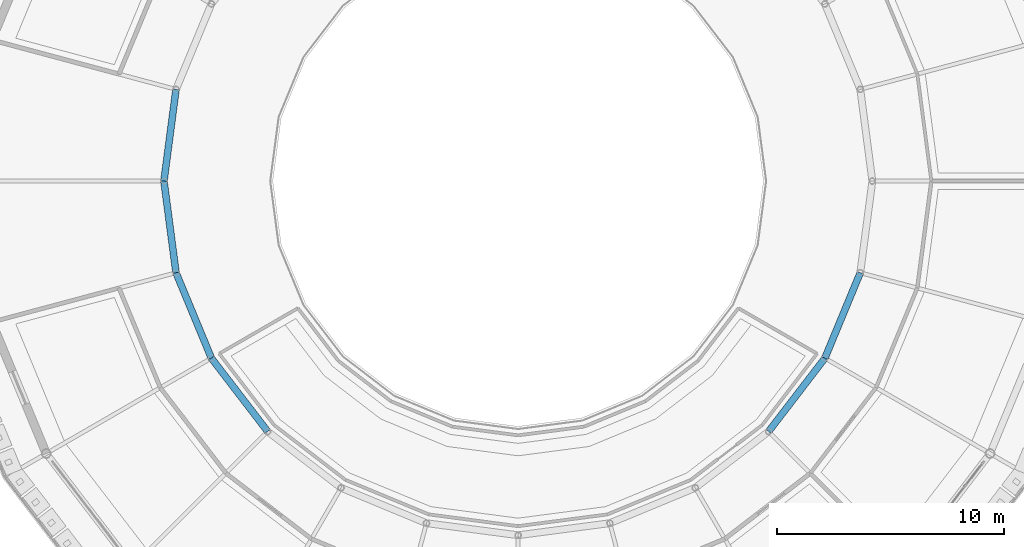
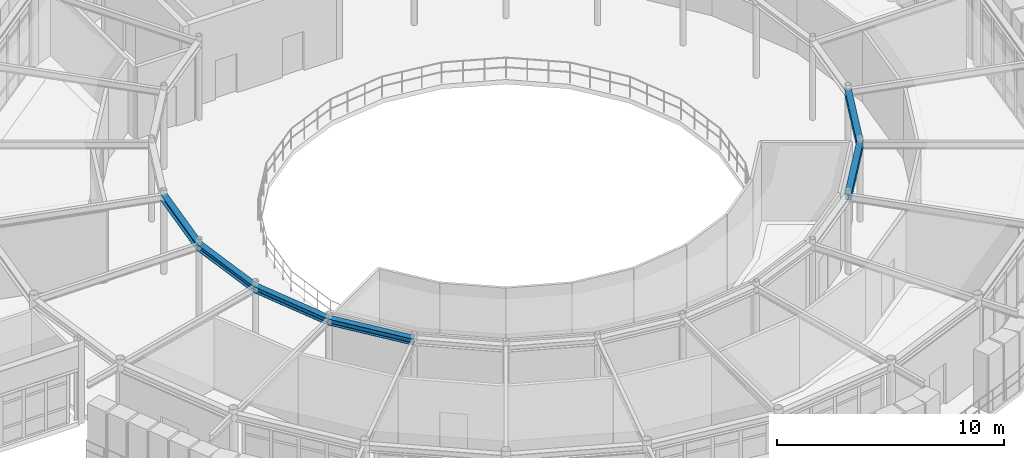
# One storey, part 39 of 106: 6 beams.
"""IFC4 building model written with IfcOpenShell, lengths in metres."""

from ifc_helpers import new_model, si_unit, derived_unit, direction, frame, origin, origin_2d, place, context, subcontext, project, spatial, i_section, extrude, material, material_profile, profile_set, type_object, element, save


model = new_model("IFC4")

# Units and contexts
model_context = context("Model", 3, precision=1e-05, world=origin(), true_north=direction((0.0, 1.0)))
body_context = subcontext(model_context, "Body", "Model", "MODEL_VIEW")
ifc_project = project(units=[si_unit("LENGTHUNIT", "METRE"), si_unit("AREAUNIT", "SQUARE_METRE"), si_unit("VOLUMEUNIT", "CUBIC_METRE"), si_unit("PLANEANGLEUNIT", "RADIAN"), si_unit("MASSUNIT", "GRAM", prefix="KILO"), derived_unit("THERMALTRANSMITTANCEUNIT", [(si_unit("POWERUNIT", "WATT"), 1), (si_unit("AREAUNIT", "SQUARE_METRE"), -1), (si_unit("THERMODYNAMICTEMPERATUREUNIT", "KELVIN"), -1)])], contexts=[model_context])

# Site, building, storey
site_placement = place(None, origin())
site = spatial("IfcSite", under=ifc_project, at=site_placement, CompositionType="ELEMENT")
building_placement = place(site_placement, origin())
building = spatial("IfcBuilding", under=site, at=building_placement, Name="Yasenodar Specialist Clinic", CompositionType="ELEMENT")
storey_placement = place(building_placement, frame((0.0, 0.0, 4.5)))
storey = spatial("IfcBuildingStorey", under=building, at=storey_placement, Name="L01", CompositionType="ELEMENT", Elevation=4.5)

# Beams
ifc_material = material(Name="Steel S355", Category="steel")
ifc_material_profile = material_profile(ifc_material, i_section(OverallWidth=0.300048828125, OverallDepth=0.330078125, WebThickness=0.009521484375, FlangeThickness=0.0166015625, FilletRadius=0.027099609375, at=origin_2d()), Name="HEA 340")
ifc_profile_set = profile_set([ifc_material_profile], Name="Steel S355")
beam_type = type_object("IfcBeamType", Name="BM-HEA340", PredefinedType="BEAM", material=ifc_profile_set)
for number, where, z_axis, x_axis, name in (
    (1, (65.931640625, 62.837646484375, 4.0849609375), (-0.130569268018, -0.991439189385, 0.0), (0.991439189385, -0.130569268018, 0.0), "L01 Drum V1 Inner Ring Beam"),
    (2, (65.39990234375, 58.800048828125, 4.0849609375), (0.130569268018, -0.991439189385, 0.0), (0.991439189385, 0.130569268018, 0.0), "L01 Drum V1 Inner Ring Beam"),
    (3, (65.931640625, 54.762451171875, 4.0849609375), (0.382660650645, -0.92388896868, 0.0), (0.92388896868, 0.382660650645, 0.0), "L01 Drum V1 Inner Ring Beam"),
    (4, (67.489990234375, 51.0, 4.0849609375), (0.608731039936, -0.793376657722, 0.0), (0.793376657722, 0.608731039936, 0.0), "L01 Drum V1 Inner Ring Beam"),
    (5, (92.031005859375, 47.76904296875, 4.0849609375), (0.608731039936, 0.793376657722, 0.0), (-0.793376657722, 0.608731039936, 0.0), "L01 Drum V1 Inner Ring Beam"),
    (6, (94.510009765625, 51.0, 4.0849609375), (0.382660650645, 0.92388896868, 0.0), (-0.92388896868, 0.382660650645, 0.0), "L01 Drum V1 Inner Ring Beam"),
):
    element("IfcBeam", number, at=place(storey_placement, frame(where, z_axis=z_axis, x_axis=x_axis)), inside=storey, type_object=beam_type, Name=name, PredefinedType="BEAM", context=body_context, shape_type="SweptSolid", body=[
        extrude(i_section(OverallWidth=0.300048828125, OverallDepth=0.330078125, WebThickness=0.009521484375, FlangeThickness=0.0166015625, FilletRadius=0.027099609375, at=origin_2d()), origin(), (0.0, 0.0, 1.0), 4.072509765625),
    ])

save(model, "model.ifc")
